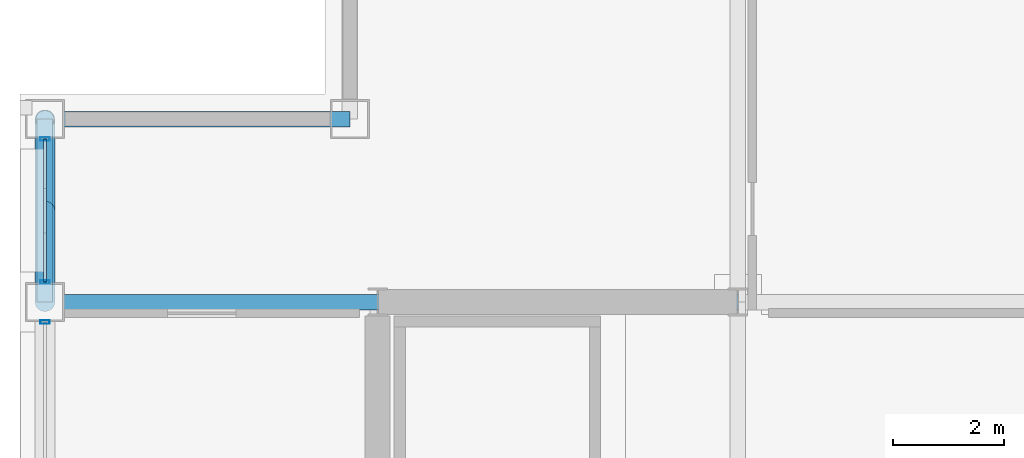
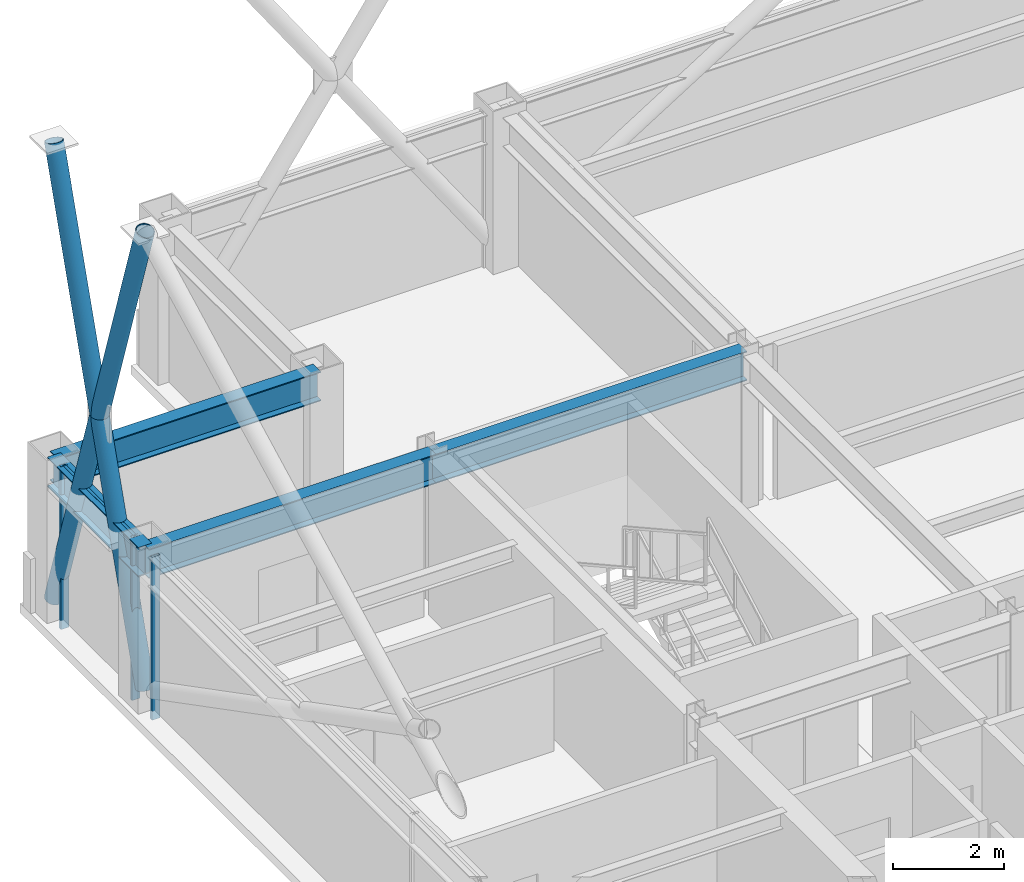
# One storey, part 12 of 33: 7 members, 4 beams, 2 elements without a shape of their own.
"""IFC4 building model written with IfcOpenShell, lengths in metres."""

from ifc_helpers import new_model, si_unit, direction, frame, origin, origin_2d, place, context, subcontext, project, spatial, hollow_rectangle, hollow_circle, i_section, extrude, material, layer, layer_set, material_profile, profile_set, type_object, element, aggregate, save


model = new_model("IFC4")

# Units and contexts
model_context = context("Model", 3, precision=1e-05, world=origin(), true_north=direction((0.0, 1.0)))
body_context = subcontext(model_context, "Body", "Model", "MODEL_VIEW")
ifc_project = project(units=[si_unit("LENGTHUNIT", "METRE"), si_unit("AREAUNIT", "SQUARE_METRE"), si_unit("VOLUMEUNIT", "CUBIC_METRE"), si_unit("PLANEANGLEUNIT", "RADIAN"), si_unit("MASSUNIT", "GRAM", prefix="KILO")], contexts=[model_context])

# Site, building, storey
site_placement = place(None, origin())
site = spatial("IfcSite", under=ifc_project, at=site_placement, CompositionType="ELEMENT")
building_placement = place(site_placement, origin())
building = spatial("IfcBuilding", under=site, at=building_placement, Name="Brelmoor Portico Tower", CompositionType="ELEMENT")
storey_placement = place(building_placement, frame((0.0, 0.0, 194.699951171875)))
storey = spatial("IfcBuildingStorey", under=building, at=storey_placement, Name="L51", CompositionType="ELEMENT", Elevation=194.699951171875)

# Beams
ifc_material_1 = material(Name="Steel Q355B", Category="steel")
ifc_material_profile_1 = material_profile(ifc_material_1, i_section(OverallWidth=0.280029296875, OverallDepth=0.64990234375, WebThickness=0.012939453125, FlangeThickness=0.02197265625, at=origin_2d()), Name="HN 650x280x13x22")
ifc_profile_set_1 = profile_set([ifc_material_profile_1], Name="Steel Q355B")
beam_type_1 = type_object("IfcBeamType", Name="BM-PG-650", PredefinedType="BEAM", material=ifc_profile_set_1)
beam_1_placement = place(storey_placement, frame((-20.550048828125, 9.75, 3.074951171875), z_axis=(1.0, 0.0, 0.0), x_axis=(0.0, 1.0, 0.0)))
element("IfcBeam", 1, at=beam_1_placement, inside=storey, type_object=beam_type_1, Name="L51 Primary Floor Girder PG-19", PredefinedType="BEAM", context=body_context, shape_type="SweptSolid", body=[
    extrude(i_section(OverallWidth=0.280029296875, OverallDepth=0.64990234375, WebThickness=0.012939453125, FlangeThickness=0.02197265625, at=origin_2d()), origin(), (0.0, 0.0, 1.0), 6.0),
])
beam_2_placement = place(storey_placement, frame((-14.550048828125, 9.75, 3.074951171875), z_axis=(1.0, 0.0, 0.0), x_axis=(0.0, 1.0, 0.0)))
element("IfcBeam", 2, at=beam_2_placement, inside=storey, type_object=beam_type_1, Name="L51 Primary Floor Girder PG-20", PredefinedType="BEAM", context=body_context, shape_type="SweptSolid", body=[
    extrude(i_section(OverallWidth=0.280029296875, OverallDepth=0.64990234375, WebThickness=0.012939453125, FlangeThickness=0.02197265625, at=origin_2d()), origin(), (0.0, 0.0, 1.0), 6.5),
])
ifc_material_profile_2 = material_profile(ifc_material_1, i_section(OverallWidth=0.280029296875, OverallDepth=0.64990234375, WebThickness=0.012939453125, FlangeThickness=0.02197265625, at=origin_2d()), Name="HN 650x280x13x22")
ifc_profile_set_2 = profile_set([ifc_material_profile_2], Name="Steel Q355B")
beam_type_2 = type_object("IfcBeamType", Name="BM-SP-650", PredefinedType="SPANDREL", material=ifc_profile_set_2)
beam_3_placement = place(storey_placement, frame((-20.550048828125, 13.050048828125, 3.074951171875), z_axis=(1.0, 0.0, 0.0), x_axis=(0.0, 1.0, 0.0)))
element("IfcBeam", 3, at=beam_3_placement, inside=storey, type_object=beam_type_2, Name="L51 Perimeter Spandrel Beam SP-06", PredefinedType="SPANDREL", context=body_context, shape_type="SweptSolid", body=[
    extrude(i_section(OverallWidth=0.280029296875, OverallDepth=0.64990234375, WebThickness=0.012939453125, FlangeThickness=0.02197265625, at=origin_2d()), origin(), (0.0, 0.0, 1.0), 5.5),
])
beam_4_placement = place(storey_placement, frame((-20.550048828125, 9.75, 3.074951171875), z_axis=(0.0, 1.0, 0.0), x_axis=(-1.0, 0.0, 0.0)))
element("IfcBeam", 4, at=beam_4_placement, inside=storey, type_object=beam_type_2, Name="L51 Perimeter Spandrel Beam SP-13", PredefinedType="SPANDREL", context=body_context, shape_type="SweptSolid", body=[
    extrude(i_section(OverallWidth=0.280029296875, OverallDepth=0.64990234375, WebThickness=0.012939453125, FlangeThickness=0.02197265625, at=origin_2d()), origin(), (0.0, 0.0, 1.0), 3.300048828125),
])

# Members
ifc_material_profile_3 = material_profile(ifc_material_1, hollow_circle(Radius=0.177978515625, WallThickness=0.01611328125, at=origin_2d()), Name="CHS 356x16")
ifc_profile_set_3 = profile_set([ifc_material_profile_3], Name="Steel Q355B")
member_type_1 = type_object("IfcMemberType", Name="MB-BELT-DIAG2", PredefinedType="BRACE", material=ifc_profile_set_3)
member_1_placement = place(storey_placement, frame((-20.550048828125, 9.75, 0.25), z_axis=(0.0, 0.310576778545, 0.950548296842), x_axis=(-1.0, 0.0, 0.0)))
element("IfcMember", 5, at=member_1_placement, inside=storey, type_object=member_type_1, Name="L51 Continuous Mega-X Brace 124A", PredefinedType="BRACE", context=body_context, shape_type="SweptSolid", body=[
    extrude(hollow_circle(Radius=0.177978515625, WallThickness=0.01611328125, at=origin_2d()), origin(), (0.0, 0.0, 1.0), 10.62548828125),
])
for number, where, z_axis, x_axis, name in (
    (6, (-20.550048828125, 13.050048828125, 0.25), (0.0, -0.310597538786, 0.950541513507), (1.0, 0.0, 0.0), "L51 Split Mega-X Brace 124B1"),
    (7, (-20.550048828125, 11.39990234375, 5.300048828125), (0.0, -0.310556017859, 0.95055507982), (1.0, 0.0, 0.0), "L51 Split Mega-X Brace 124B2"),
):
    element("IfcMember", number, at=place(storey_placement, frame(where, z_axis=z_axis, x_axis=x_axis)), inside=storey, type_object=member_type_1, Name=name, PredefinedType="BRACE", context=body_context, shape_type="SweptSolid", body=[
        extrude(hollow_circle(Radius=0.177978515625, WallThickness=0.01611328125, at=origin_2d()), origin(), (0.0, 0.0, 1.0), 5.312744140625),
    ])

# Curtain wall, member
ifc_material_2 = material(Name="Anodised Aluminium Alloy 6063-T6", Category="aluminium")
ifc_layer = layer(ifc_material_2, 0.179931640625)
ifc_layer_set = layer_set([ifc_layer], Name="Anodised Aluminium Alloy 6063-T6")
curtain_wall_type = type_object("IfcCurtainWallType", Name="CW-TOWER-Z3-XB", PredefinedType="NOTDEFINED", material=ifc_layer_set)
curtain_wall_1_placement = place(storey_placement, origin())
curtain_wall_1 = element("IfcCurtainWall", 8, at=curtain_wall_1_placement, inside=storey, type_object=curtain_wall_type, Name="L51 Curtain Wall CW-L51-03-2", PredefinedType="NOTDEFINED")
ifc_material_profile_4 = material_profile(ifc_material_2, hollow_rectangle(XDim=0.06494140625, YDim=0.1650390625, WallThickness=0.00390625, at=origin_2d()), Name="ALU MULLION 65x165")
ifc_profile_set_4 = profile_set([ifc_material_profile_4], Name="Anodised Aluminium Alloy 6063-T6")
member_type_2 = type_object("IfcMemberType", Name="MB-CW-MULL-165", PredefinedType="MULLION", material=ifc_profile_set_4)
member_2_placement = place(storey_placement, frame((-20.550048828125, 9.389892578125, -0.199951171875), z_axis=(0.0, 0.0, 1.0), x_axis=(0.0, 1.0, 0.0)))
member_2 = element("IfcMember", 9, at=member_2_placement, type_object=member_type_2, Name="CW-L51-03-2 Mullion 02", PredefinedType="MULLION", context=body_context, shape_type="SweptSolid", body=[
    extrude(hollow_rectangle(XDim=0.06494140625, YDim=0.1650390625, WallThickness=0.00390625, at=origin_2d()), origin(), (0.0, 0.0, 1.0), 3.60009765625),
])
aggregate(curtain_wall_1, [member_2])

# Curtain wall, members
curtain_wall_2_placement = place(storey_placement, origin())
curtain_wall_2 = element("IfcCurtainWall", 10, at=curtain_wall_2_placement, inside=storey, type_object=curtain_wall_type, Name="L51 Curtain Wall CW-L51-03-3", PredefinedType="NOTDEFINED")
member_3_placement = place(storey_placement, frame((-20.550048828125, 10.110107421875, -0.199951171875), z_axis=(0.0, 0.0, 1.0), x_axis=(0.0, 1.0, 0.0)))
member_3 = element("IfcMember", 11, at=member_3_placement, type_object=member_type_2, Name="CW-L51-03-3 Mullion 00", PredefinedType="MULLION", context=body_context, shape_type="SweptSolid", body=[
    extrude(hollow_rectangle(XDim=0.06494140625, YDim=0.1650390625, WallThickness=0.00390625, at=origin_2d()), origin(), (0.0, 0.0, 1.0), 3.60009765625),
])
member_4_placement = place(storey_placement, frame((-20.550048828125, 12.68994140625, -0.199951171875), z_axis=(0.0, 0.0, 1.0), x_axis=(0.0, 1.0, 0.0)))
member_4 = element("IfcMember", 12, at=member_4_placement, type_object=member_type_2, Name="CW-L51-03-3 Mullion 01", PredefinedType="MULLION", context=body_context, shape_type="SweptSolid", body=[
    extrude(hollow_rectangle(XDim=0.06494140625, YDim=0.1650390625, WallThickness=0.00390625, at=origin_2d()), origin(), (0.0, 0.0, 1.0), 3.60009765625),
])
ifc_material_profile_5 = material_profile(ifc_material_2, hollow_rectangle(XDim=0.06005859375, YDim=0.125, WallThickness=0.00341796875, at=origin_2d()), Name="ALU TRANSOM 60x125")
ifc_profile_set_5 = profile_set([ifc_material_profile_5], Name="Anodised Aluminium Alloy 6063-T6")
member_type_3 = type_object("IfcMemberType", Name="MB-CW-TRAN-125", PredefinedType="USERDEFINED", material=ifc_profile_set_5)
member_5_placement = place(storey_placement, frame((-20.550048828125, 10.110107421875, 3.337646484375), z_axis=(0.0, 1.0, 0.0), x_axis=(-1.0, 0.0, 0.0)))
member_5 = element("IfcMember", 13, at=member_5_placement, type_object=member_type_3, Name="CW-L51-03-3 Transom 1-00", ObjectType="TRANSOM", PredefinedType="USERDEFINED", context=body_context, shape_type="SweptSolid", body=[
    extrude(hollow_rectangle(XDim=0.06005859375, YDim=0.125, WallThickness=0.00341796875, at=origin_2d()), origin(), (0.0, 0.0, 1.0), 2.579833984375),
])
aggregate(curtain_wall_2, [member_3, member_4, member_5])

save(model, "model.ifc")
